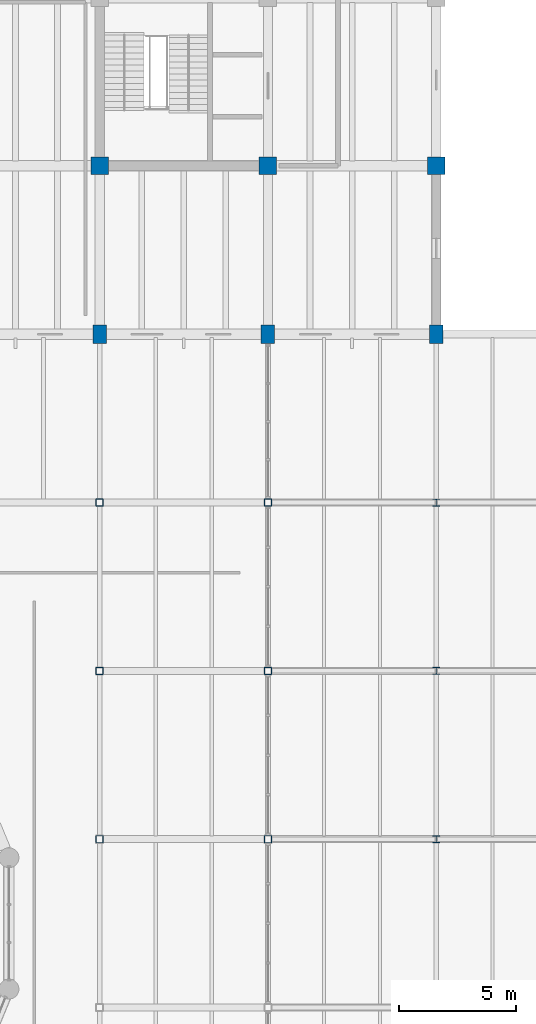
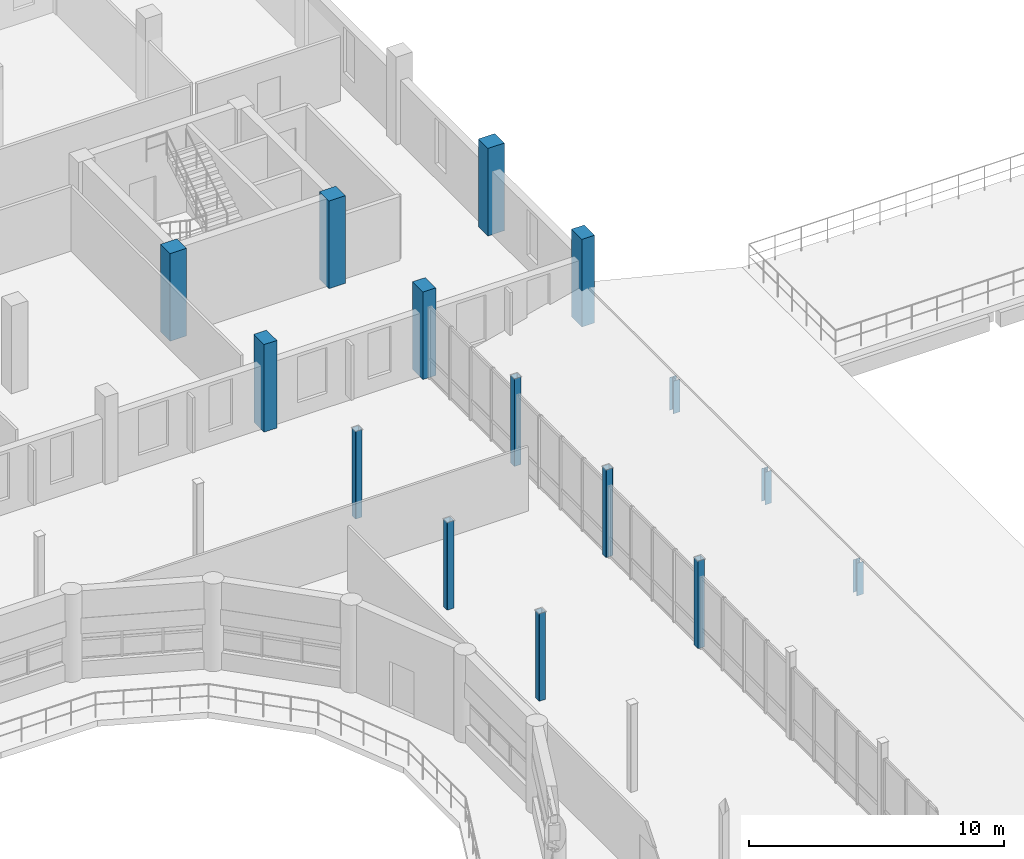
# One storey, part 10 of 63: 15 columns.
"""IFC4 building model written with IfcOpenShell, lengths in metres."""

import ifcopenshell
import ifcopenshell.guid

model = None  # the IFC model being written
_history = None  # IfcOwnerHistory: only IFC2X3 demands one
_inside = {}  # id of a spatial element -> (the spatial element, [elements in it])
_under = {}  # id of a project, library or spatial element -> (it, [spatial elements below it])
_declared = {}  # id of a project -> (the project, [libraries it declares])
_typed = {}  # id of a type object -> (the type object, [elements of that type])
_made_of = {}  # id of a material, layer set ... -> (it, [elements and type objects made of it])


def new_model(schema):
    """Start an empty IFC model of exactly this schema.

    Asked for "IFC4X3", IfcOpenShell would pick the latest addendum, in which some entities
    have other attributes; the version numbers below select the first issue.
    IFC2X3 requires an IfcOwnerHistory on every rooted entity: one is made here for all.
    """
    global model, _history
    if schema == "IFC4X3":
        model = ifcopenshell.file(schema_version=(4, 3, 0, 0))
    else:
        model = ifcopenshell.file(schema=schema)
    _inside.clear()
    _under.clear()
    _declared.clear()
    _typed.clear()
    _made_of.clear()
    _history = None
    if model.schema == "IFC2X3":
        org = make("IfcOrganization", Name="unknown")
        user = make(
            "IfcPersonAndOrganization",
            ThePerson=make("IfcPerson", FamilyName="unknown"),
            TheOrganization=org,
        )
        app = make(
            "IfcApplication",
            ApplicationDeveloper=org,
            Version="unknown",
            ApplicationFullName="unknown",
            ApplicationIdentifier="unknown",
        )
        _history = make(
            "IfcOwnerHistory",
            OwningUser=user,
            OwningApplication=app,
            ChangeAction="ADDED",
            CreationDate=0,
        )
    return model


def make(cls, **values):
    """One entity of the class cls with the attributes given. An attribute that is None is left unset."""
    return model.create_entity(
        cls, **{name: value for name, value in values.items() if value is not None}
    )


def rooted(cls, **values):
    """An entity with a GlobalId (a new one), such as an element, a storey or a relation."""
    return make(cls, GlobalId=ifcopenshell.guid.new(), OwnerHistory=_history, **values)


def si_unit(unit_type, name, prefix=None):
    """IfcSIUnit, for example si_unit("LENGTHUNIT", "METRE", prefix="MILLI")."""
    return make("IfcSIUnit", UnitType=unit_type, Prefix=prefix, Name=name)


def assignment(units):
    """IfcUnitAssignment: the units of a project."""
    return None if units is None else make("IfcUnitAssignment", Units=units)


def point(xyz):
    """IfcCartesianPoint."""
    return None if xyz is None else make("IfcCartesianPoint", Coordinates=xyz)


def direction(xyz):
    """IfcDirection."""
    return None if xyz is None else make("IfcDirection", DirectionRatios=xyz)


def frame(location, z_axis=None, x_axis=None):
    """IfcAxis2Placement3D, a coordinate frame: its origin and axes. An axis left out is left unset."""
    return make(
        "IfcAxis2Placement3D",
        Location=point(location),
        Axis=direction(z_axis),
        RefDirection=direction(x_axis),
    )


def frame_2d(location, x_axis=None):
    """IfcAxis2Placement2D, a coordinate frame in the plane: its origin and x axis."""
    return make(
        "IfcAxis2Placement2D", Location=point(location), RefDirection=direction(x_axis)
    )


def origin():
    """The frame at (0, 0, 0) with its axes left unset."""
    return frame((0.0, 0.0, 0.0))


def origin_2d():
    """The frame at (0, 0) in the plane with its x axis left unset."""
    return frame_2d((0.0, 0.0))


def place(relative_to, where):
    """IfcLocalPlacement: puts the frame where relative to a parent placement (None: the world)."""
    return make(
        "IfcLocalPlacement", PlacementRelTo=relative_to, RelativePlacement=where
    )


def context(
    kind, dimensions, precision=None, world=None, true_north=None, identifier=None
):
    """IfcGeometricRepresentationContext, for example the 3D "Model" context."""
    return make(
        "IfcGeometricRepresentationContext",
        ContextIdentifier=identifier,
        ContextType=kind,
        CoordinateSpaceDimension=dimensions,
        Precision=precision,
        WorldCoordinateSystem=world,
        TrueNorth=true_north,
    )


def subcontext(parent, identifier, kind, view, scale=None):
    """IfcGeometricRepresentationSubContext, for example "Body" below "Model"."""
    return make(
        "IfcGeometricRepresentationSubContext",
        ContextIdentifier=identifier,
        ContextType=kind,
        ParentContext=parent,
        TargetScale=scale,
        TargetView=view,
    )


def project(units=None, contexts=None):
    """IfcProject with its units and contexts."""
    return rooted(
        "IfcProject",
        Name="project",
        RepresentationContexts=contexts,
        UnitsInContext=assignment(units),
    )


def spatial(cls, under=None, at=None, **own):
    """A site, building, storey or space (cls), placed at a placement, below another one or the project."""
    s = rooted(cls, ObjectPlacement=at, **own)
    if under is not None:
        _under.setdefault(under.id(), (under, []))[1].append(s)
    return s


def profile(cls, at=None, kind="AREA", **sizes):
    """A parametric profile (cls). Its sizes go by their IFC names, for example OverallWidth=200.0."""
    return make(cls, ProfileType=kind, Position=at, **sizes)


def rectangle(**sizes):
    """IfcRectangleProfileDef."""
    return profile("IfcRectangleProfileDef", **sizes)


def hollow_rectangle(**sizes):
    """IfcRectangleHollowProfileDef."""
    return profile("IfcRectangleHollowProfileDef", **sizes)


def i_section(**sizes):
    """IfcIShapeProfileDef."""
    return profile("IfcIShapeProfileDef", **sizes)


def extrude(swept, where, along, depth):
    """IfcExtrudedAreaSolid: the profile swept, set in the frame where, extruded along a direction by depth."""
    return make(
        "IfcExtrudedAreaSolid",
        SweptArea=swept,
        Position=where,
        ExtrudedDirection=direction(along),
        Depth=depth,
    )


def shape(context_of_items, identifier, shape_type, items):
    """IfcShapeRepresentation: the items that make up one representation, for example the "Body"."""
    return make(
        "IfcShapeRepresentation",
        ContextOfItems=context_of_items,
        RepresentationIdentifier=identifier,
        RepresentationType=shape_type,
        Items=items,
    )


def material(Name=None, Category=None):
    """IfcMaterial."""
    return make("IfcMaterial", Name=Name, Category=Category)


def material_profile(
    of_material, cross_section, Name=None, Category=None, Priority=None
):
    """IfcMaterialProfile: a cross section and its material."""
    return make(
        "IfcMaterialProfile",
        Name=Name,
        Material=of_material,
        Profile=cross_section,
        Priority=Priority,
        Category=Category,
    )


def profile_set(profiles, Name=None, composite=None):
    """IfcMaterialProfileSet."""
    return make(
        "IfcMaterialProfileSet",
        Name=Name,
        MaterialProfiles=profiles,
        CompositeProfile=composite,
    )


def made_of(thing, what):
    """Note that an element or type object is made of a material, layer set ...; save() writes the relation."""
    if what is not None:
        _made_of.setdefault(what.id(), (what, []))[1].append(thing)
    return thing


def type_object(cls, material=None, **own):
    """A type object (cls), such as IfcWallType, which elements share."""
    return made_of(rooted(cls, **own), material)


def element(
    cls,
    number,
    at=None,
    inside=None,
    cuts=None,
    type_object=None,
    material=None,
    context=None,
    identifier="Body",
    shape_type=None,
    held_by="IfcProductDefinitionShape",
    body=None,
    shapes=None,
    **own,
):
    """One element of the class cls, such as IfcWall. Its Tag is "e" and its number.

    at: its placement. inside: the storey or other place that contains it. cuts: it is an
    opening in that element (IfcRelVoidsElement). A single representation is given by context,
    identifier, shape_type and body (its items); several are given by shapes. held_by: the class
    of the entity that holds the representations. save() writes the other relations.
    """
    e = rooted(cls, Tag="e%d" % number, ObjectPlacement=at, **own)
    if body is not None:
        shapes = [shape(context, identifier, shape_type, body)]
    if shapes is not None:
        e.Representation = make(held_by, Representations=shapes)
    if inside is not None:
        _inside.setdefault(inside.id(), (inside, []))[1].append(e)
    if cuts is not None:
        rooted(
            "IfcRelVoidsElement", RelatingBuildingElement=cuts, RelatedOpeningElement=e
        )
    if type_object is not None:
        _typed.setdefault(type_object.id(), (type_object, []))[1].append(e)
    return made_of(e, material)


def aggregate(whole, parts):
    """IfcRelAggregates: a whole, such as a stair, and the parts it consists of."""
    return rooted("IfcRelAggregates", RelatingObject=whole, RelatedObjects=parts)


def save(model, path):
    """Write the relations noted so far, then the file.

    IfcRelAggregates (storeys below a building ...), IfcRelContainedInSpatialStructure (elements
    in a storey), IfcRelDefinesByType, IfcRelAssociatesMaterial and IfcRelDeclares: one each for
    every whole, place, type object, material and project.
    """
    for whole, parts in _under.values():
        aggregate(whole, parts)
    for where, things in _inside.values():
        rooted(
            "IfcRelContainedInSpatialStructure",
            RelatedElements=things,
            RelatingStructure=where,
        )
    for kind, things in _typed.values():
        rooted("IfcRelDefinesByType", RelatedObjects=things, RelatingType=kind)
    for what, things in _made_of.values():
        rooted("IfcRelAssociatesMaterial", RelatedObjects=things, RelatingMaterial=what)
    for by, libraries in _declared.values():
        rooted("IfcRelDeclares", RelatingContext=by, RelatedDefinitions=libraries)
    model.write(path)


model = new_model("IFC4")

# Units and contexts
model_context = context("Model", 3, precision=1e-05, world=origin(), true_north=direction((0.0, 1.0)))
body_context = subcontext(model_context, "Body", "Model", "MODEL_VIEW")
ifc_project = project(units=[si_unit("LENGTHUNIT", "METRE"), si_unit("AREAUNIT", "SQUARE_METRE"), si_unit("VOLUMEUNIT", "CUBIC_METRE"), si_unit("PLANEANGLEUNIT", "RADIAN"), si_unit("MASSUNIT", "GRAM", prefix="KILO")], contexts=[model_context])

# Site, building, storey
site_placement = place(None, origin())
site = spatial("IfcSite", under=ifc_project, at=site_placement, CompositionType="ELEMENT")
building_placement = place(site_placement, origin())
building = spatial("IfcBuilding", under=site, at=building_placement, Name="Qiaolan Assembly House", CompositionType="ELEMENT")
storey_placement = place(building_placement, frame((0.0, 0.0, 14.39990234375)))
storey = spatial("IfcBuildingStorey", under=building, at=storey_placement, Name="L03", CompositionType="ELEMENT", Elevation=14.39990234375)

# Columns
ifc_material_1 = material(Name="Concrete C45/55", Category="concrete")
ifc_material_profile_1 = material_profile(ifc_material_1, rectangle(XDim=0.75, YDim=0.75, at=origin_2d()), Name="RC 750x750")
ifc_profile_set_1 = profile_set([ifc_material_profile_1], Name="Concrete C45/55")
column_type_1 = type_object("IfcColumnType", Name="COL-RC-750", PredefinedType="COLUMN", material=ifc_profile_set_1)
for number, where, z_axis, x_axis, name in (
    (1, (86.39990234375, 93.60009765625, 0.0), (0.0, 0.0, 1.0), (1.0, 0.0, 0.0), "RC-06 column NW L03"),
    (2, (93.60009765625, 93.60009765625, 0.0), (0.0, 0.0, 1.0), (1.0, 0.0, 0.0), "RC-06 column NW L03"),
    (3, (100.800048828125, 93.60009765625, 0.0), (0.0, 0.0, 1.0), (1.0, 0.0, 0.0), "RC-06 column NW L03"),
):
    element("IfcColumn", number, at=place(storey_placement, frame(where, z_axis=z_axis, x_axis=x_axis)), inside=storey, type_object=column_type_1, Name=name, PredefinedType="COLUMN", context=body_context, shape_type="SweptSolid", body=[
        extrude(rectangle(XDim=0.75, YDim=0.75, at=origin_2d()), origin(), (0.0, 0.0, 1.0), 4.2001953125),
    ])
ifc_material_profile_2 = material_profile(ifc_material_1, rectangle(XDim=0.580078125, YDim=0.81005859375, at=origin_2d()), Name="RC 810x580")
ifc_profile_set_2 = profile_set([ifc_material_profile_2], Name="Concrete C45/55")
column_type_2 = type_object("IfcColumnType", Name="COL-RC-810x580", PredefinedType="COLUMN", material=ifc_profile_set_2)
for number, where, z_axis, x_axis, name in (
    (4, (86.39990234375, 86.39990234375, 0.0), (0.0, 0.0, 1.0), (1.0, 0.0, 0.0), "RC-18 column NW L03"),
    (5, (93.60009765625, 86.39990234375, 0.0), (0.0, 0.0, 1.0), (1.0, 0.0, 0.0), "RC-18 column NW L03"),
    (6, (100.800048828125, 86.39990234375, 0.0), (0.0, 0.0, 1.0), (1.0, 0.0, 0.0), "RC-18 column NW L03"),
):
    element("IfcColumn", number, at=place(storey_placement, frame(where, z_axis=z_axis, x_axis=x_axis)), inside=storey, type_object=column_type_2, Name=name, PredefinedType="COLUMN", context=body_context, shape_type="SweptSolid", body=[
        extrude(rectangle(XDim=0.580078125, YDim=0.81005859375, at=origin_2d()), origin(), (0.0, 0.0, 1.0), 4.2001953125),
    ])
ifc_material_2 = material(Name="Steel Q355B", Category="steel")
ifc_material_profile_3 = material_profile(ifc_material_2, i_section(OverallWidth=0.300048828125, OverallDepth=0.300048828125, WebThickness=0.010009765625, FlangeThickness=0.014892578125, FilletRadius=0.01806640625, at=origin_2d()), Name="HW 300x300x10x15")
ifc_profile_set_3 = profile_set([ifc_material_profile_3], Name="Steel Q355B")
column_type_3 = type_object("IfcColumnType", Name="COL-STL-HW300", PredefinedType="COLUMN", material=ifc_profile_set_3)
for number, where, z_axis, x_axis, name in (
    (7, (100.800048828125, 64.800048828125, 0.0), (0.0, 0.0, 1.0), (1.0, 0.0, 0.0), "SC-08 hall skylight ridge post L03"),
    (8, (100.800048828125, 72.0, 0.0), (0.0, 0.0, 1.0), (1.0, 0.0, 0.0), "SC-08 hall skylight ridge post L03"),
    (9, (100.800048828125, 79.199951171875, 0.0), (0.0, 0.0, 1.0), (1.0, 0.0, 0.0), "SC-08 hall skylight ridge post L03"),
):
    element("IfcColumn", number, at=place(storey_placement, frame(where, z_axis=z_axis, x_axis=x_axis)), inside=storey, type_object=column_type_3, Name=name, PredefinedType="COLUMN", context=body_context, shape_type="SweptSolid", body=[
        extrude(i_section(OverallWidth=0.300048828125, OverallDepth=0.300048828125, WebThickness=0.010009765625, FlangeThickness=0.014892578125, FilletRadius=0.01806640625, at=origin_2d()), origin(), (0.0, 0.0, 1.0), 1.565673828125),
    ])
ifc_material_profile_4 = material_profile(ifc_material_2, hollow_rectangle(XDim=0.31005859375, YDim=0.31005859375, WallThickness=0.011962890625, InnerFilletRadius=0.011962890625, OuterFilletRadius=0.02392578125, at=origin_2d()), Name="SHS 310x310x12")
ifc_profile_set_4 = profile_set([ifc_material_profile_4], Name="Steel Q355B")
column_type_4 = type_object("IfcColumnType", Name="COL-STL-SHS310", PredefinedType="COLUMN", material=ifc_profile_set_4)
for number, where, z_axis, x_axis, name in (
    (10, (86.39990234375, 64.800048828125, 0.0), (0.0, 0.0, 1.0), (1.0, 0.0, 0.0), "SC-10 L03 hall concourse column"),
    (11, (86.39990234375, 72.0, 0.0), (0.0, 0.0, 1.0), (1.0, 0.0, 0.0), "SC-10 L03 hall concourse column"),
    (12, (86.39990234375, 79.199951171875, 0.0), (0.0, 0.0, 1.0), (1.0, 0.0, 0.0), "SC-10 L03 hall concourse column"),
    (13, (93.60009765625, 64.800048828125, 0.0), (0.0, 0.0, 1.0), (1.0, 0.0, 0.0), "SC-10 L03 hall concourse column"),
    (14, (93.60009765625, 72.0, 0.0), (0.0, 0.0, 1.0), (1.0, 0.0, 0.0), "SC-10 L03 hall concourse column"),
    (15, (93.60009765625, 79.199951171875, 0.0), (0.0, 0.0, 1.0), (1.0, 0.0, 0.0), "SC-10 L03 hall concourse column"),
):
    element("IfcColumn", number, at=place(storey_placement, frame(where, z_axis=z_axis, x_axis=x_axis)), inside=storey, type_object=column_type_4, Name=name, PredefinedType="COLUMN", context=body_context, shape_type="SweptSolid", body=[
        extrude(hollow_rectangle(XDim=0.31005859375, YDim=0.31005859375, WallThickness=0.011962890625, InnerFilletRadius=0.011962890625, OuterFilletRadius=0.02392578125, at=origin_2d()), origin(), (0.0, 0.0, 1.0), 4.2001953125),
    ])

save(model, "model.ifc")
